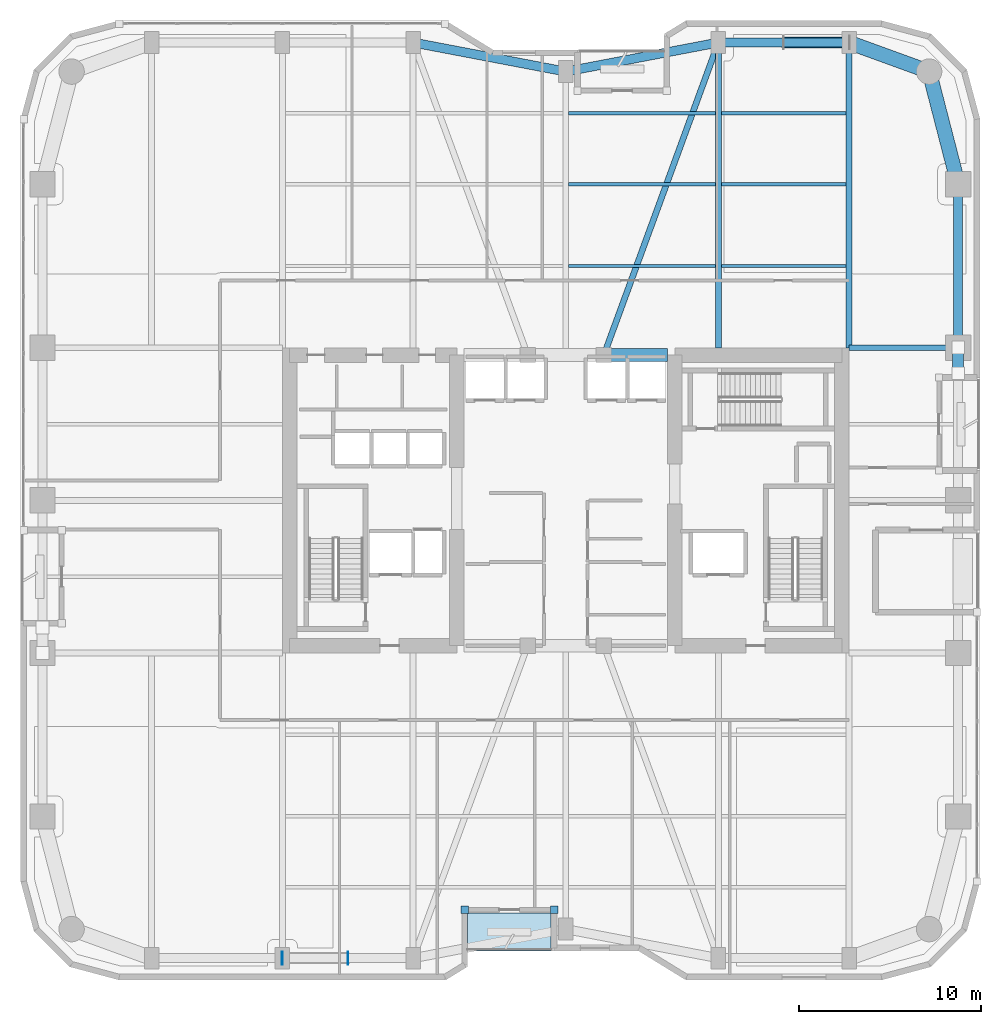
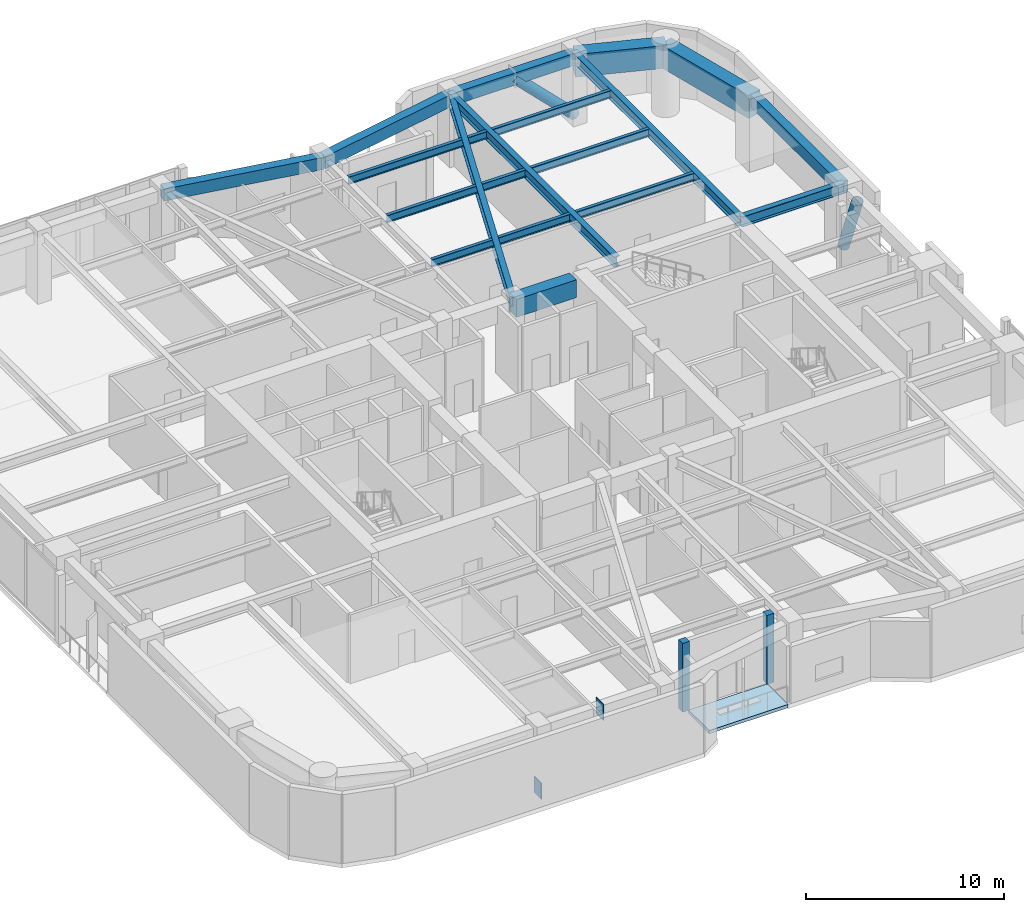
# One storey, part 11 of 20: 17 beams, 4 plates, 2 members, 1 slab.
"""IFC4 building model written with IfcOpenShell, lengths in metres."""

import ifcopenshell
import ifcopenshell.guid

model = None  # the IFC model being written
_history = None  # IfcOwnerHistory: only IFC2X3 demands one
_inside = {}  # id of a spatial element -> (the spatial element, [elements in it])
_under = {}  # id of a project, library or spatial element -> (it, [spatial elements below it])
_declared = {}  # id of a project -> (the project, [libraries it declares])
_typed = {}  # id of a type object -> (the type object, [elements of that type])
_made_of = {}  # id of a material, layer set ... -> (it, [elements and type objects made of it])


def new_model(schema):
    """Start an empty IFC model of exactly this schema.

    Asked for "IFC4X3", IfcOpenShell would pick the latest addendum, in which some entities
    have other attributes; the version numbers below select the first issue.
    IFC2X3 requires an IfcOwnerHistory on every rooted entity: one is made here for all.
    """
    global model, _history
    if schema == "IFC4X3":
        model = ifcopenshell.file(schema_version=(4, 3, 0, 0))
    else:
        model = ifcopenshell.file(schema=schema)
    _inside.clear()
    _under.clear()
    _declared.clear()
    _typed.clear()
    _made_of.clear()
    _history = None
    if model.schema == "IFC2X3":
        org = make("IfcOrganization", Name="unknown")
        user = make(
            "IfcPersonAndOrganization",
            ThePerson=make("IfcPerson", FamilyName="unknown"),
            TheOrganization=org,
        )
        app = make(
            "IfcApplication",
            ApplicationDeveloper=org,
            Version="unknown",
            ApplicationFullName="unknown",
            ApplicationIdentifier="unknown",
        )
        _history = make(
            "IfcOwnerHistory",
            OwningUser=user,
            OwningApplication=app,
            ChangeAction="ADDED",
            CreationDate=0,
        )
    return model


def make(cls, **values):
    """One entity of the class cls with the attributes given. An attribute that is None is left unset."""
    return model.create_entity(
        cls, **{name: value for name, value in values.items() if value is not None}
    )


def rooted(cls, **values):
    """An entity with a GlobalId (a new one), such as an element, a storey or a relation."""
    return make(cls, GlobalId=ifcopenshell.guid.new(), OwnerHistory=_history, **values)


def si_unit(unit_type, name, prefix=None):
    """IfcSIUnit, for example si_unit("LENGTHUNIT", "METRE", prefix="MILLI")."""
    return make("IfcSIUnit", UnitType=unit_type, Prefix=prefix, Name=name)


def assignment(units):
    """IfcUnitAssignment: the units of a project."""
    return None if units is None else make("IfcUnitAssignment", Units=units)


def point(xyz):
    """IfcCartesianPoint."""
    return None if xyz is None else make("IfcCartesianPoint", Coordinates=xyz)


def direction(xyz):
    """IfcDirection."""
    return None if xyz is None else make("IfcDirection", DirectionRatios=xyz)


def frame(location, z_axis=None, x_axis=None):
    """IfcAxis2Placement3D, a coordinate frame: its origin and axes. An axis left out is left unset."""
    return make(
        "IfcAxis2Placement3D",
        Location=point(location),
        Axis=direction(z_axis),
        RefDirection=direction(x_axis),
    )


def frame_2d(location, x_axis=None):
    """IfcAxis2Placement2D, a coordinate frame in the plane: its origin and x axis."""
    return make(
        "IfcAxis2Placement2D", Location=point(location), RefDirection=direction(x_axis)
    )


def origin():
    """The frame at (0, 0, 0) with its axes left unset."""
    return frame((0.0, 0.0, 0.0))


def origin_2d():
    """The frame at (0, 0) in the plane with its x axis left unset."""
    return frame_2d((0.0, 0.0))


def place(relative_to, where):
    """IfcLocalPlacement: puts the frame where relative to a parent placement (None: the world)."""
    return make(
        "IfcLocalPlacement", PlacementRelTo=relative_to, RelativePlacement=where
    )


def context(
    kind, dimensions, precision=None, world=None, true_north=None, identifier=None
):
    """IfcGeometricRepresentationContext, for example the 3D "Model" context."""
    return make(
        "IfcGeometricRepresentationContext",
        ContextIdentifier=identifier,
        ContextType=kind,
        CoordinateSpaceDimension=dimensions,
        Precision=precision,
        WorldCoordinateSystem=world,
        TrueNorth=true_north,
    )


def subcontext(parent, identifier, kind, view, scale=None):
    """IfcGeometricRepresentationSubContext, for example "Body" below "Model"."""
    return make(
        "IfcGeometricRepresentationSubContext",
        ContextIdentifier=identifier,
        ContextType=kind,
        ParentContext=parent,
        TargetScale=scale,
        TargetView=view,
    )


def project(units=None, contexts=None):
    """IfcProject with its units and contexts."""
    return rooted(
        "IfcProject",
        Name="project",
        RepresentationContexts=contexts,
        UnitsInContext=assignment(units),
    )


def spatial(cls, under=None, at=None, **own):
    """A site, building, storey or space (cls), placed at a placement, below another one or the project."""
    s = rooted(cls, ObjectPlacement=at, **own)
    if under is not None:
        _under.setdefault(under.id(), (under, []))[1].append(s)
    return s


def polyline(points):
    """IfcPolyline through the points."""
    return make("IfcPolyline", Points=[point(p) for p in points])


def profile(cls, at=None, kind="AREA", **sizes):
    """A parametric profile (cls). Its sizes go by their IFC names, for example OverallWidth=200.0."""
    return make(cls, ProfileType=kind, Position=at, **sizes)


def rectangle(**sizes):
    """IfcRectangleProfileDef."""
    return profile("IfcRectangleProfileDef", **sizes)


def hollow_circle(**sizes):
    """IfcCircleHollowProfileDef."""
    return profile("IfcCircleHollowProfileDef", **sizes)


def i_section(**sizes):
    """IfcIShapeProfileDef."""
    return profile("IfcIShapeProfileDef", **sizes)


def outline(outer, holes=None, kind="AREA"):
    """IfcArbitraryClosedProfileDef: a profile drawn as a closed curve; with holes, ...WithVoids."""
    if holes is None:
        return make("IfcArbitraryClosedProfileDef", ProfileType=kind, OuterCurve=outer)
    return make(
        "IfcArbitraryProfileDefWithVoids",
        ProfileType=kind,
        OuterCurve=outer,
        InnerCurves=holes,
    )


def extrude(swept, where, along, depth):
    """IfcExtrudedAreaSolid: the profile swept, set in the frame where, extruded along a direction by depth."""
    return make(
        "IfcExtrudedAreaSolid",
        SweptArea=swept,
        Position=where,
        ExtrudedDirection=direction(along),
        Depth=depth,
    )


def shape(context_of_items, identifier, shape_type, items):
    """IfcShapeRepresentation: the items that make up one representation, for example the "Body"."""
    return make(
        "IfcShapeRepresentation",
        ContextOfItems=context_of_items,
        RepresentationIdentifier=identifier,
        RepresentationType=shape_type,
        Items=items,
    )


def material(Name=None, Category=None):
    """IfcMaterial."""
    return make("IfcMaterial", Name=Name, Category=Category)


def layer(
    of_material, thickness, ventilated=None, Name=None, Category=None, Priority=None
):
    """IfcMaterialLayer: one layer of a wall or slab, of a material (None: an air gap)."""
    return make(
        "IfcMaterialLayer",
        Material=of_material,
        LayerThickness=thickness,
        IsVentilated=ventilated,
        Name=Name,
        Category=Category,
        Priority=Priority,
    )


def layer_set(layers, Name=None):
    """IfcMaterialLayerSet."""
    return make("IfcMaterialLayerSet", MaterialLayers=layers, LayerSetName=Name)


def material_profile(
    of_material, cross_section, Name=None, Category=None, Priority=None
):
    """IfcMaterialProfile: a cross section and its material."""
    return make(
        "IfcMaterialProfile",
        Name=Name,
        Material=of_material,
        Profile=cross_section,
        Priority=Priority,
        Category=Category,
    )


def profile_set(profiles, Name=None, composite=None):
    """IfcMaterialProfileSet."""
    return make(
        "IfcMaterialProfileSet",
        Name=Name,
        MaterialProfiles=profiles,
        CompositeProfile=composite,
    )


def made_of(thing, what):
    """Note that an element or type object is made of a material, layer set ...; save() writes the relation."""
    if what is not None:
        _made_of.setdefault(what.id(), (what, []))[1].append(thing)
    return thing


def type_object(cls, material=None, **own):
    """A type object (cls), such as IfcWallType, which elements share."""
    return made_of(rooted(cls, **own), material)


def element(
    cls,
    number,
    at=None,
    inside=None,
    cuts=None,
    type_object=None,
    material=None,
    context=None,
    identifier="Body",
    shape_type=None,
    held_by="IfcProductDefinitionShape",
    body=None,
    shapes=None,
    **own,
):
    """One element of the class cls, such as IfcWall. Its Tag is "e" and its number.

    at: its placement. inside: the storey or other place that contains it. cuts: it is an
    opening in that element (IfcRelVoidsElement). A single representation is given by context,
    identifier, shape_type and body (its items); several are given by shapes. held_by: the class
    of the entity that holds the representations. save() writes the other relations.
    """
    e = rooted(cls, Tag="e%d" % number, ObjectPlacement=at, **own)
    if body is not None:
        shapes = [shape(context, identifier, shape_type, body)]
    if shapes is not None:
        e.Representation = make(held_by, Representations=shapes)
    if inside is not None:
        _inside.setdefault(inside.id(), (inside, []))[1].append(e)
    if cuts is not None:
        rooted(
            "IfcRelVoidsElement", RelatingBuildingElement=cuts, RelatedOpeningElement=e
        )
    if type_object is not None:
        _typed.setdefault(type_object.id(), (type_object, []))[1].append(e)
    return made_of(e, material)


def aggregate(whole, parts):
    """IfcRelAggregates: a whole, such as a stair, and the parts it consists of."""
    return rooted("IfcRelAggregates", RelatingObject=whole, RelatedObjects=parts)


def save(model, path):
    """Write the relations noted so far, then the file.

    IfcRelAggregates (storeys below a building ...), IfcRelContainedInSpatialStructure (elements
    in a storey), IfcRelDefinesByType, IfcRelAssociatesMaterial and IfcRelDeclares: one each for
    every whole, place, type object, material and project.
    """
    for whole, parts in _under.values():
        aggregate(whole, parts)
    for where, things in _inside.values():
        rooted(
            "IfcRelContainedInSpatialStructure",
            RelatedElements=things,
            RelatingStructure=where,
        )
    for kind, things in _typed.values():
        rooted("IfcRelDefinesByType", RelatedObjects=things, RelatingType=kind)
    for what, things in _made_of.values():
        rooted("IfcRelAssociatesMaterial", RelatedObjects=things, RelatingMaterial=what)
    for by, libraries in _declared.values():
        rooted("IfcRelDeclares", RelatingContext=by, RelatedDefinitions=libraries)
    model.write(path)


model = new_model("IFC4")

# Units and contexts
model_context = context("Model", 3, precision=1e-05, world=origin(), true_north=direction((0.0, 1.0)))
body_context = subcontext(model_context, "Body", "Model", "MODEL_VIEW")
ifc_project = project(units=[si_unit("LENGTHUNIT", "METRE"), si_unit("AREAUNIT", "SQUARE_METRE"), si_unit("VOLUMEUNIT", "CUBIC_METRE"), si_unit("PLANEANGLEUNIT", "RADIAN"), si_unit("MASSUNIT", "GRAM", prefix="KILO")], contexts=[model_context])

# Site, building, storey
site_placement = place(None, origin())
site = spatial("IfcSite", under=ifc_project, at=site_placement, CompositionType="ELEMENT")
building_placement = place(site_placement, origin())
building = spatial("IfcBuilding", under=site, at=building_placement, Name="Kiyonajd Concourse Tower", CompositionType="ELEMENT")
storey_placement = place(building_placement, frame((0.0, 0.0, 125.39990234375)))
storey = spatial("IfcBuildingStorey", under=building, at=storey_placement, Name="L32", CompositionType="ELEMENT", Elevation=125.39990234375)

# Beams
ifc_material_1 = material(Name="Concrete C70/85", Category="concrete")
ifc_material_profile_1 = material_profile(ifc_material_1, rectangle(XDim=0.699951171875, YDim=1.10009765625, at=origin_2d()), Name="RCBM-700x1100")
ifc_profile_set_1 = profile_set([ifc_material_profile_1], Name="Concrete C70/85")
beam_type_1 = type_object("IfcBeamType", Name="BM-COUP-1100", PredefinedType="LINTEL", material=ifc_profile_set_1)
beam_1_placement = place(storey_placement, frame((50.10009765625, 44.0, 3.690185546875), z_axis=(1.0, 0.0, 0.0), x_axis=(0.0, 1.0, 0.0)))
element("IfcBeam", 1, at=beam_1_placement, inside=storey, type_object=beam_type_1, Name="L32 Core Coupling Beam N3", PredefinedType="LINTEL", context=body_context, shape_type="SweptSolid", body=[
    extrude(rectangle(XDim=0.699951171875, YDim=1.10009765625, at=origin_2d()), origin(), (0.0, 0.0, 1.0), 3.5),
])
ifc_material_2 = material(Name="Steel ASTM A992 Grade 50", Category="steel")
ifc_material_profile_2 = material_profile(ifc_material_2, i_section(OverallWidth=0.19189453125, OverallDepth=0.462890625, WebThickness=0.010498046875, FlangeThickness=0.017578125, at=origin_2d()), Name="W460X89")
ifc_profile_set_2 = profile_set([ifc_material_profile_2], Name="Steel ASTM A992 Grade 50")
beam_type_2 = type_object("IfcBeamType", Name="BM-JST-460B", PredefinedType="JOIST", material=ifc_profile_set_2)
beam_2_placement = place(storey_placement, frame((48.16357421875, 48.89990234375, 4.008544921875), z_axis=(1.0, 0.0, 0.0), x_axis=(0.0, 1.0, 0.0)))
element("IfcBeam", 2, at=beam_2_placement, inside=storey, type_object=beam_type_2, Name="L32 Secondary Floor Joist", PredefinedType="JOIST", context=body_context, shape_type="SweptSolid", body=[
    extrude(i_section(OverallWidth=0.19189453125, OverallDepth=0.462890625, WebThickness=0.010498046875, FlangeThickness=0.017578125, at=origin_2d()), origin(), (0.0, 0.0, 1.0), 8.072998046875),
])
beam_3_placement = place(storey_placement, frame((56.5634765625, 48.89990234375, 4.008544921875), z_axis=(1.0, 0.0, 0.0), x_axis=(0.0, 1.0, 0.0)))
element("IfcBeam", 3, at=beam_3_placement, inside=storey, type_object=beam_type_2, Name="L32 Secondary Floor Joist", PredefinedType="JOIST", context=body_context, shape_type="SweptSolid", body=[
    extrude(i_section(OverallWidth=0.19189453125, OverallDepth=0.462890625, WebThickness=0.010498046875, FlangeThickness=0.017578125, at=origin_2d()), origin(), (0.0, 0.0, 1.0), 6.873046875),
])
beam_4_placement = place(storey_placement, frame((48.16357421875, 53.39990234375, 4.008544921875), z_axis=(1.0, 0.0, 0.0), x_axis=(0.0, 1.0, 0.0)))
element("IfcBeam", 4, at=beam_4_placement, inside=storey, type_object=beam_type_2, Name="L32 Secondary Floor Joist", PredefinedType="JOIST", context=body_context, shape_type="SweptSolid", body=[
    extrude(i_section(OverallWidth=0.19189453125, OverallDepth=0.462890625, WebThickness=0.010498046875, FlangeThickness=0.017578125, at=origin_2d()), origin(), (0.0, 0.0, 1.0), 8.072998046875),
])
beam_5_placement = place(storey_placement, frame((56.5634765625, 53.39990234375, 4.008544921875), z_axis=(1.0, 0.0, 0.0), x_axis=(0.0, 1.0, 0.0)))
element("IfcBeam", 5, at=beam_5_placement, inside=storey, type_object=beam_type_2, Name="L32 Secondary Floor Joist", PredefinedType="JOIST", context=body_context, shape_type="SweptSolid", body=[
    extrude(i_section(OverallWidth=0.19189453125, OverallDepth=0.462890625, WebThickness=0.010498046875, FlangeThickness=0.017578125, at=origin_2d()), origin(), (0.0, 0.0, 1.0), 6.873046875),
])
beam_6_placement = place(storey_placement, frame((48.16357421875, 57.300048828125, 4.008544921875), z_axis=(1.0, 0.0, 0.0), x_axis=(0.0, 1.0, 0.0)))
element("IfcBeam", 6, at=beam_6_placement, inside=storey, type_object=beam_type_2, Name="L32 Secondary Floor Joist", PredefinedType="JOIST", context=body_context, shape_type="SweptSolid", body=[
    extrude(i_section(OverallWidth=0.19189453125, OverallDepth=0.462890625, WebThickness=0.010498046875, FlangeThickness=0.017578125, at=origin_2d()), origin(), (0.0, 0.0, 1.0), 8.072998046875),
])
beam_7_placement = place(storey_placement, frame((56.5634765625, 57.300048828125, 4.008544921875), z_axis=(1.0, 0.0, 0.0), x_axis=(0.0, 1.0, 0.0)))
element("IfcBeam", 7, at=beam_7_placement, inside=storey, type_object=beam_type_2, Name="L32 Secondary Floor Joist", PredefinedType="JOIST", context=body_context, shape_type="SweptSolid", body=[
    extrude(i_section(OverallWidth=0.19189453125, OverallDepth=0.462890625, WebThickness=0.010498046875, FlangeThickness=0.017578125, at=origin_2d()), origin(), (0.0, 0.0, 1.0), 6.873046875),
])
ifc_material_3 = material(Name="Precast concrete C50/60", Category="concrete")
ifc_material_profile_3 = material_profile(ifc_material_3, rectangle(XDim=0.5, YDim=0.75, at=origin_2d()), Name="RCBM-500x750")
ifc_profile_set_3 = profile_set([ifc_material_profile_3], Name="Precast concrete C50/60")
beam_type_3 = type_object("IfcBeamType", Name="BM-SPAN-RC", PredefinedType="SPANDREL", material=ifc_profile_set_3)
beam_8_placement = place(storey_placement, frame((69.60009765625, 44.39990234375, 3.864990234375), z_axis=(0.0, 1.0, 0.0), x_axis=(-1.0, 0.0, 0.0)))
element("IfcBeam", 8, at=beam_8_placement, inside=storey, type_object=beam_type_3, Name="L32 Perimeter Bundled Tube Spandrel", PredefinedType="SPANDREL", context=body_context, shape_type="SweptSolid", body=[
    extrude(rectangle(XDim=0.5, YDim=0.75, at=origin_2d()), origin(), (0.0, 0.0, 1.0), 9.0),
])
beam_9_placement = place(storey_placement, frame((63.60009765625, 61.199951171875, 3.864990234375), z_axis=(-1.0, 0.0, 0.0), x_axis=(0.0, -1.0, 0.0)))
element("IfcBeam", 9, at=beam_9_placement, inside=storey, type_object=beam_type_3, Name="L32 Perimeter Bundled Tube Spandrel", PredefinedType="SPANDREL", context=body_context, shape_type="SweptSolid", body=[
    extrude(rectangle(XDim=0.5, YDim=0.75, at=origin_2d()), origin(), (0.0, 0.0, 1.0), 7.2001953125),
])
for number, where, z_axis, x_axis, name in (
    (10, (56.39990234375, 61.199951171875, 3.864990234375), (-0.982341315253, -0.187097675953, 0.0), (0.187097675953, -0.982341315253, 0.0), "L32 Perimeter Bundled Tube Spandrel"),
    (11, (48.0, 59.60009765625, 3.864990234375), (-0.982341315253, 0.187097675953, 0.0), (-0.187097675953, -0.982341315253, 0.0), "L32 Perimeter Bundled Tube Spandrel"),
):
    element("IfcBeam", number, at=place(storey_placement, frame(where, z_axis=z_axis, x_axis=x_axis)), inside=storey, type_object=beam_type_3, Name=name, PredefinedType="SPANDREL", context=body_context, shape_type="SweptSolid", body=[
        extrude(rectangle(XDim=0.5, YDim=0.75, at=origin_2d()), origin(), (0.0, 0.0, 1.0), 8.55078125),
    ])
ifc_material_profile_4 = material_profile(ifc_material_2, i_section(OverallWidth=0.326904296875, OverallDepth=0.6220703125, WebThickness=0.015380859375, FlangeThickness=0.0244140625, at=origin_2d()), Name="W610X195")
ifc_profile_set_4 = profile_set([ifc_material_profile_4], Name="Steel ASTM A992 Grade 50")
beam_type_4 = type_object("IfcBeamType", Name="BM-TWR-610A", PredefinedType="BEAM", material=ifc_profile_set_4)
beam_10_placement = place(storey_placement, frame((50.10009765625, 44.0, 3.92919921875), z_axis=(0.343925269715, 0.938997022813, 0.0), x_axis=(-0.938997022813, 0.343925269715, 0.0)))
element("IfcBeam", 12, at=beam_10_placement, inside=storey, type_object=beam_type_4, Name="L32 Core Tie Girder", PredefinedType="BEAM", context=body_context, shape_type="SweptSolid", body=[
    extrude(i_section(OverallWidth=0.326904296875, OverallDepth=0.6220703125, WebThickness=0.015380859375, FlangeThickness=0.0244140625, at=origin_2d()), origin(), (0.0, 0.0, 1.0), 18.3173828125),
])
for number, where, z_axis, x_axis, name in (
    (13, (56.39990234375, 44.39990234375, 3.92919921875), (0.0, 1.0, 0.0), (-1.0, 0.0, 0.0), "L32 North Lease Girder"),
    (14, (63.60009765625, 44.39990234375, 3.92919921875), (0.0, 1.0, 0.0), (-1.0, 0.0, 0.0), "L32 North Lease Girder"),
):
    element("IfcBeam", number, at=place(storey_placement, frame(where, z_axis=z_axis, x_axis=x_axis)), inside=storey, type_object=beam_type_4, Name=name, PredefinedType="BEAM", context=body_context, shape_type="SweptSolid", body=[
        extrude(i_section(OverallWidth=0.326904296875, OverallDepth=0.6220703125, WebThickness=0.015380859375, FlangeThickness=0.0244140625, at=origin_2d()), origin(), (0.0, 0.0, 1.0), 16.800048828125),
    ])
beam_11_placement = place(storey_placement, frame((63.60009765625, 44.39990234375, 3.92919921875), z_axis=(1.0, 0.0, 0.0), x_axis=(0.0, 1.0, 0.0)))
element("IfcBeam", 15, at=beam_11_placement, inside=storey, type_object=beam_type_4, Name="L32 East Lease Girder", PredefinedType="BEAM", context=body_context, shape_type="SweptSolid", body=[
    extrude(i_section(OverallWidth=0.326904296875, OverallDepth=0.6220703125, WebThickness=0.015380859375, FlangeThickness=0.0244140625, at=origin_2d()), origin(), (0.0, 0.0, 1.0), 6.0),
])
ifc_material_4 = material(Name="Concrete C60/75", Category="concrete")
ifc_material_profile_5 = material_profile(ifc_material_4, rectangle(XDim=0.800048828125, YDim=1.39990234375, at=origin_2d()), Name="RCBM-800x1400")
ifc_profile_set_5 = profile_set([ifc_material_profile_5], Name="Concrete C60/75")
beam_type_5 = type_object("IfcBeamType", Name="BM-XFER-RC", PredefinedType="BEAM", material=ifc_profile_set_5)
beam_12_placement = place(storey_placement, frame((69.60009765625, 53.39990234375, 3.5400390625), z_axis=(-0.249884937687, 0.968275538221, 0.0), x_axis=(-0.968275538221, -0.249884937687, 0.0)))
element("IfcBeam", 16, at=beam_12_placement, inside=storey, type_object=beam_type_5, Name="L32 Perimeter Bundled Tube Spandrel", PredefinedType="BEAM", context=body_context, shape_type="SweptSolid", body=[
    extrude(rectangle(XDim=0.800048828125, YDim=1.39990234375, at=origin_2d()), origin(), (0.0, 0.0, 1.0), 6.4033203125),
])
beam_13_placement = place(storey_placement, frame((68.0, 59.60009765625, 3.5400390625), z_axis=(-0.939801036019, 0.341722127901, 0.0), x_axis=(-0.341722127901, -0.939801036019, 0.0)))
element("IfcBeam", 17, at=beam_13_placement, inside=storey, type_object=beam_type_5, Name="L32 Perimeter Bundled Tube Spandrel", PredefinedType="BEAM", context=body_context, shape_type="SweptSolid", body=[
    extrude(rectangle(XDim=0.800048828125, YDim=1.39990234375, at=origin_2d()), origin(), (0.0, 0.0, 1.0), 4.681640625),
])

# Members
ifc_material_5 = material(Name="Steel ASTM A572 Grade 50", Category="steel")
ifc_material_profile_6 = material_profile(ifc_material_5, hollow_circle(Radius=0.304931640625, WallThickness=0.02490234375, at=origin_2d()), Name="CHS-610x25")
ifc_profile_set_6 = profile_set([ifc_material_profile_6], Name="Steel ASTM A572 Grade 50")
member_type = type_object("IfcMemberType", Name="MB-PB-LOW", PredefinedType="BRACE", material=ifc_profile_set_6)
member_1_placement = place(storey_placement, frame((63.60009765625, 61.199951171875, 0.300048828125), z_axis=(-0.708090488697, 0.0, 0.706121703261), x_axis=(0.0, -1.0, 0.0)))
element("IfcMember", 18, at=member_1_placement, inside=storey, type_object=member_type, Name="L32 Lower Zone Welded Tube Brace PBN", PredefinedType="BRACE", context=body_context, shape_type="SweptSolid", body=[
    extrude(hollow_circle(Radius=0.304931640625, WallThickness=0.02490234375, at=origin_2d()), origin(), (0.0, 0.0, 1.0), 5.084228515625),
])
member_2_placement = place(storey_placement, frame((69.60009765625, 44.39990234375, 0.300048828125), z_axis=(0.0, -0.363293032355, 0.931674928633), x_axis=(1.0, 0.0, 0.0)))
element("IfcMember", 19, at=member_2_placement, inside=storey, type_object=member_type, Name="L32 Lower Zone Welded Tube Brace PBE", PredefinedType="BRACE", context=body_context, shape_type="SweptSolid", body=[
    extrude(hollow_circle(Radius=0.304931640625, WallThickness=0.02490234375, at=origin_2d()), origin(), (0.0, 0.0, 1.0), 3.853271484375),
])

# Plates
ifc_layer_1 = layer(ifc_material_5, 0.028076171875)
ifc_layer_set_1 = layer_set([ifc_layer_1], Name="Steel ASTM A572 Grade 50")
plate_type_1 = type_object("IfcPlateType", Name="PL-CAP-450", PredefinedType="USERDEFINED", material=ifc_layer_set_1)
for number, where, z_axis, x_axis, name in (
    (20, (32.39208984375, 10.800048828125, -0.208251953125), (0.0, 0.0, 1.0), (-1.0, 0.0, 0.0), "L32 Hollow Brace End Cap Plate PBS"),
    (21, (36.0078125, 10.800048828125, 3.3974609375), (0.0, 0.0, 1.0), (1.0, 0.0, 0.0), "L32 Hollow Brace Top Cap Plate PBS"),
):
    element("IfcPlate", number, at=place(storey_placement, frame(where, z_axis=z_axis, x_axis=x_axis)), inside=storey, type_object=plate_type_1, Name=name, ObjectType="CAP PLATE", PredefinedType="USERDEFINED", context=body_context, shape_type="SweptSolid", body=[
        extrude(rectangle(XDim=0.035888671875, YDim=0.72998046875, at=origin_2d()), origin(), (0.0, 0.0, 1.0), 1.0009765625),
    ])
ifc_material_6 = material(Name="Thermally Broken Anodised Aluminium", Category="aluminium")
ifc_layer_2 = layer(ifc_material_6, 0.39990234375)
ifc_layer_set_2 = layer_set([ifc_layer_2], Name="Thermally Broken Anodised Aluminium")
plate_type_2 = type_object("IfcPlateType", Name="PL-JMB-400", PredefinedType="USERDEFINED", material=ifc_layer_set_2)
for number, where, z_axis, x_axis, name in (
    (22, (47.360107421875, 13.4599609375, 0.0), (0.0, 0.0, 1.0), (1.0, 0.0, 0.0), "L32 Facade Jamb Closure Plate 13"),
    (23, (42.43994140625, 13.4599609375, 0.0), (0.0, 0.0, 1.0), (1.0, 0.0, 0.0), "L32 Facade Jamb Closure Plate 14"),
):
    element("IfcPlate", number, at=place(storey_placement, frame(where, z_axis=z_axis, x_axis=x_axis)), inside=storey, type_object=plate_type_2, Name=name, ObjectType="JAMB PLATE", PredefinedType="USERDEFINED", context=body_context, shape_type="SweptSolid", body=[
        extrude(rectangle(XDim=0.39990234375, YDim=0.39990234375, at=origin_2d()), origin(), (0.0, 0.0, 1.0), 4.239990234375),
    ])

# Slab
ifc_layer_3 = layer(ifc_material_3, 0.199951171875)
ifc_layer_set_3 = layer_set([ifc_layer_3], Name="Precast concrete C50/60")
slab_type = type_object("IfcSlabType", Name="SL-LOG-200", PredefinedType="FLOOR", material=ifc_layer_set_3)
slab_placement = place(storey_placement, frame((0.0, 0.0, -0.199951171875)))
element("IfcSlab", 24, at=slab_placement, inside=storey, type_object=slab_type, Name="L32 Recessed Engawa Loggia Terrace Slab LOG-S", PredefinedType="FLOOR", context=body_context, shape_type="SweptSolid", body=[
    extrude(outline(polyline([(42.60009765625, 11.199951171875), (47.199951171875, 11.199951171875), (47.199951171875, 13.300048828125), (42.60009765625, 13.300048828125), (42.60009765625, 11.199951171875)])), origin(), (0.0, 0.0, 1.0), 0.199951171875),
])

save(model, "model.ifc")
